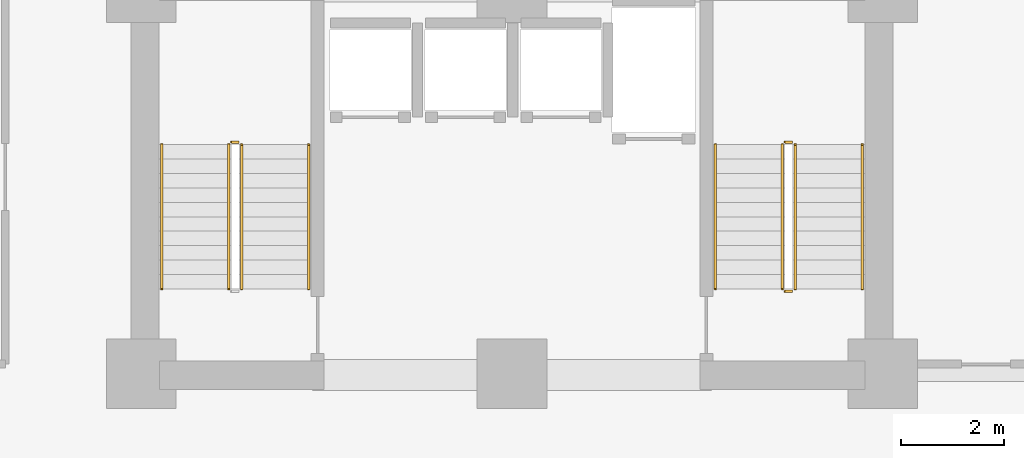
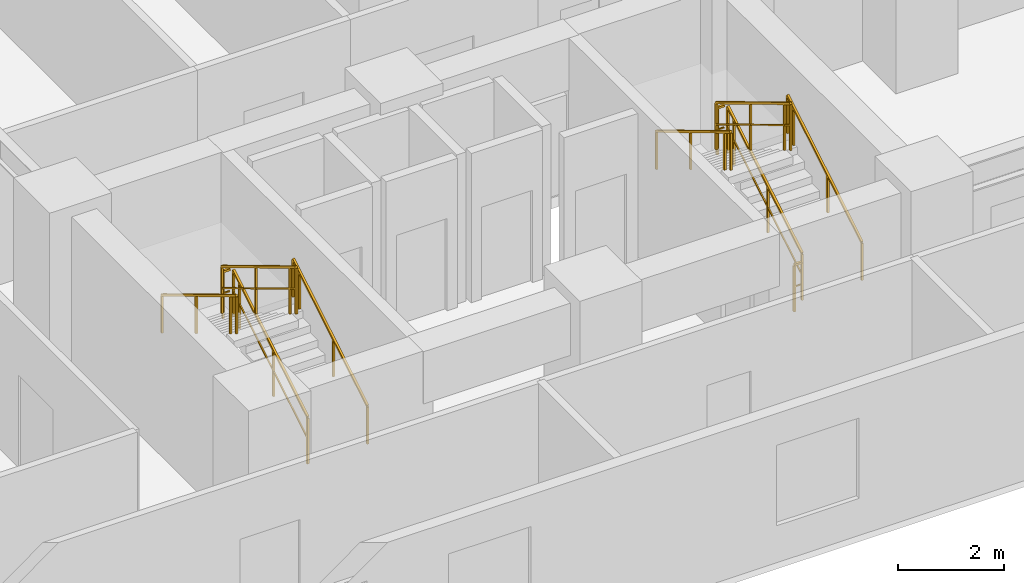
# One storey, part 18 of 19: 11 railings.
"""IFC4 building model written with IfcOpenShell, lengths in metres."""

from ifc_helpers import new_model, si_unit, direction, frame, origin, origin_2d, place, context, subcontext, project, spatial, rectangle, extrude, material, type_object, element, save


model = new_model("IFC4")

# Units and contexts
model_context = context("Model", 3, precision=1e-05, world=origin(), true_north=direction((0.0, 1.0)))
body_context = subcontext(model_context, "Body", "Model", "MODEL_VIEW")
ifc_project = project(units=[si_unit("LENGTHUNIT", "METRE"), si_unit("AREAUNIT", "SQUARE_METRE"), si_unit("VOLUMEUNIT", "CUBIC_METRE"), si_unit("PLANEANGLEUNIT", "RADIAN"), si_unit("MASSUNIT", "GRAM", prefix="KILO")], contexts=[model_context])

# Site, building, storey
site_placement = place(None, origin())
site = spatial("IfcSite", under=ifc_project, at=site_placement, CompositionType="ELEMENT")
building_placement = place(site_placement, origin())
building = spatial("IfcBuilding", under=site, at=building_placement, Name="Kaliganga Portal Commons", CompositionType="ELEMENT")
storey_placement = place(building_placement, frame((0.0, 0.0, 32.699951171875)))
storey = spatial("IfcBuildingStorey", under=building, at=storey_placement, Name="L07", CompositionType="ELEMENT", Elevation=32.699951171875)

# Railings
ifc_material_1 = material(Name="Galvanized Painted Steel Balustrade", Category="steel")
railing_type_1 = type_object("IfcRailingType", Name="RLG-STAIR-GRD", PredefinedType="GUARDRAIL", material=ifc_material_1)
railing_1_placement = place(storey_placement, frame((37.949951171875, 8.699951171875, 0.168212890625)))
element("IfcRailing", 1, at=railing_1_placement, inside=storey, type_object=railing_type_1, Name="L07 ST-B1 stair guard 1", PredefinedType="GUARDRAIL", context=body_context, shape_type="SweptSolid", body=[
    extrude(rectangle(XDim=0.048095703125, YDim=0.048095703125, at=origin_2d()), frame((0.0, 0.0, 1.072021484375), z_axis=(0.0, 0.857242210791, 0.514913383045), x_axis=(-1.0, 0.0, 0.0)), (0.0, 0.0, 1.0), 3.266357421875),
    extrude(rectangle(XDim=0.028076171875, YDim=0.028076171875, at=origin_2d()), frame((0.0, 0.0, 0.572021484375), z_axis=(0.0, 0.857242210791, 0.514913383045), x_axis=(-1.0, 0.0, 0.0)), (0.0, 0.0, 1.0), 3.266357421875),
    extrude(rectangle(XDim=0.0419921875, YDim=0.0419921875, at=origin_2d()), origin(), (0.0, 0.0, 1.0), 1.052001953125),
    extrude(rectangle(XDim=0.0419921875, YDim=0.0419921875, at=origin_2d()), frame((0.0, 1.285888671875, 0.7724609375)), (0.0, 0.0, 1.0), 1.052001953125),
    extrude(rectangle(XDim=0.0419921875, YDim=0.0419921875, at=origin_2d()), frame((0.0, 2.57177734375, 1.544677734375)), (0.0, 0.0, 1.0), 1.052001953125),
    extrude(rectangle(XDim=0.0419921875, YDim=0.0419921875, at=origin_2d()), frame((0.0, 2.800048828125, 1.681884765625)), (0.0, 0.0, 1.0), 1.052001953125),
])
railing_2_placement = place(storey_placement, frame((37.89990234375, 11.550048828125, 1.85009765625)))
element("IfcRailing", 2, at=railing_2_placement, inside=storey, type_object=railing_type_1, Name="L07 ST-B1 stair guard 2", PredefinedType="GUARDRAIL", context=body_context, shape_type="SweptSolid", body=[
    extrude(rectangle(XDim=0.048095703125, YDim=0.048095703125, at=origin_2d()), frame((0.0, 0.0, 1.076171875), z_axis=(-1.0, 0.0, 0.0), x_axis=(0.0, -1.0, 0.0)), (0.0, 0.0, 1.0), 0.14990234375),
    extrude(rectangle(XDim=0.028076171875, YDim=0.028076171875, at=origin_2d()), frame((0.0, 0.0, 0.572021484375), z_axis=(-1.0, 0.0, 0.0), x_axis=(0.0, -1.0, 0.0)), (0.0, 0.0, 1.0), 0.14990234375),
    extrude(rectangle(XDim=0.0419921875, YDim=0.0419921875, at=origin_2d()), frame((-0.14990234375, 0.0, 0.0)), (0.0, 0.0, 1.0), 1.052001953125),
])
railing_3_placement = place(storey_placement, frame((37.699951171875, 11.5, 2.018310546875)))
element("IfcRailing", 3, at=railing_3_placement, inside=storey, type_object=railing_type_1, Name="L07 ST-B1 stair guard 3", PredefinedType="GUARDRAIL", context=body_context, shape_type="SweptSolid", body=[
    extrude(rectangle(XDim=0.048095703125, YDim=0.048095703125, at=origin_2d()), frame((0.0, 0.0, 1.072021484375), z_axis=(0.0, -0.857275202839, 0.514858452973), x_axis=(1.0, 0.0, 0.0)), (0.0, 0.0, 1.0), 3.26611328125),
    extrude(rectangle(XDim=0.028076171875, YDim=0.028076171875, at=origin_2d()), frame((0.0, 0.0, 0.572021484375), z_axis=(0.0, -0.857275202839, 0.514858452973), x_axis=(1.0, 0.0, 0.0)), (0.0, 0.0, 1.0), 3.26611328125),
    extrude(rectangle(XDim=0.0419921875, YDim=0.0419921875, at=origin_2d()), origin(), (0.0, 0.0, 1.0), 1.052001953125),
    extrude(rectangle(XDim=0.0419921875, YDim=0.0419921875, at=origin_2d()), frame((0.0, -1.285888671875, 0.772216796875)), (0.0, 0.0, 1.0), 1.052001953125),
    extrude(rectangle(XDim=0.0419921875, YDim=0.0419921875, at=origin_2d()), frame((0.0, -2.57177734375, 1.544677734375)), (0.0, 0.0, 1.0), 1.052001953125),
    extrude(rectangle(XDim=0.0419921875, YDim=0.0419921875, at=origin_2d()), frame((0.0, -2.800048828125, 1.681640625)), (0.0, 0.0, 1.0), 1.052001953125),
])
railing_4_placement = place(storey_placement, frame((48.699951171875, 8.699951171875, 0.168212890625)))
element("IfcRailing", 4, at=railing_4_placement, inside=storey, type_object=railing_type_1, Name="L07 ST-B2 stair guard 1", PredefinedType="GUARDRAIL", context=body_context, shape_type="SweptSolid", body=[
    extrude(rectangle(XDim=0.048095703125, YDim=0.048095703125, at=origin_2d()), frame((0.0, 0.0, 1.072021484375), z_axis=(0.0, 0.857242210791, 0.514913383045), x_axis=(-1.0, 0.0, 0.0)), (0.0, 0.0, 1.0), 3.266357421875),
    extrude(rectangle(XDim=0.028076171875, YDim=0.028076171875, at=origin_2d()), frame((0.0, 0.0, 0.572021484375), z_axis=(0.0, 0.857242210791, 0.514913383045), x_axis=(-1.0, 0.0, 0.0)), (0.0, 0.0, 1.0), 3.266357421875),
    extrude(rectangle(XDim=0.0419921875, YDim=0.0419921875, at=origin_2d()), origin(), (0.0, 0.0, 1.0), 1.052001953125),
    extrude(rectangle(XDim=0.0419921875, YDim=0.0419921875, at=origin_2d()), frame((0.0, 1.285888671875, 0.7724609375)), (0.0, 0.0, 1.0), 1.052001953125),
    extrude(rectangle(XDim=0.0419921875, YDim=0.0419921875, at=origin_2d()), frame((0.0, 2.57177734375, 1.544677734375)), (0.0, 0.0, 1.0), 1.052001953125),
    extrude(rectangle(XDim=0.0419921875, YDim=0.0419921875, at=origin_2d()), frame((0.0, 2.800048828125, 1.681884765625)), (0.0, 0.0, 1.0), 1.052001953125),
])
railing_5_placement = place(storey_placement, frame((48.64990234375, 11.550048828125, 1.85009765625)))
element("IfcRailing", 5, at=railing_5_placement, inside=storey, type_object=railing_type_1, Name="L07 ST-B2 stair guard 2", PredefinedType="GUARDRAIL", context=body_context, shape_type="SweptSolid", body=[
    extrude(rectangle(XDim=0.048095703125, YDim=0.048095703125, at=origin_2d()), frame((0.0, 0.0, 1.076171875), z_axis=(-1.0, 0.0, 0.0), x_axis=(0.0, -1.0, 0.0)), (0.0, 0.0, 1.0), 0.14990234375),
    extrude(rectangle(XDim=0.028076171875, YDim=0.028076171875, at=origin_2d()), frame((0.0, 0.0, 0.572021484375), z_axis=(-1.0, 0.0, 0.0), x_axis=(0.0, -1.0, 0.0)), (0.0, 0.0, 1.0), 0.14990234375),
    extrude(rectangle(XDim=0.0419921875, YDim=0.0419921875, at=origin_2d()), frame((-0.14990234375, 0.0, 0.0)), (0.0, 0.0, 1.0), 1.052001953125),
])
railing_6_placement = place(storey_placement, frame((48.449951171875, 11.5, 2.018310546875)))
element("IfcRailing", 6, at=railing_6_placement, inside=storey, type_object=railing_type_1, Name="L07 ST-B2 stair guard 3", PredefinedType="GUARDRAIL", context=body_context, shape_type="SweptSolid", body=[
    extrude(rectangle(XDim=0.048095703125, YDim=0.048095703125, at=origin_2d()), frame((0.0, 0.0, 1.072021484375), z_axis=(0.0, -0.857275202839, 0.514858452973), x_axis=(1.0, 0.0, 0.0)), (0.0, 0.0, 1.0), 3.26611328125),
    extrude(rectangle(XDim=0.028076171875, YDim=0.028076171875, at=origin_2d()), frame((0.0, 0.0, 0.572021484375), z_axis=(0.0, -0.857275202839, 0.514858452973), x_axis=(1.0, 0.0, 0.0)), (0.0, 0.0, 1.0), 3.26611328125),
    extrude(rectangle(XDim=0.0419921875, YDim=0.0419921875, at=origin_2d()), origin(), (0.0, 0.0, 1.0), 1.052001953125),
    extrude(rectangle(XDim=0.0419921875, YDim=0.0419921875, at=origin_2d()), frame((0.0, -1.285888671875, 0.772216796875)), (0.0, 0.0, 1.0), 1.052001953125),
    extrude(rectangle(XDim=0.0419921875, YDim=0.0419921875, at=origin_2d()), frame((0.0, -2.57177734375, 1.544677734375)), (0.0, 0.0, 1.0), 1.052001953125),
    extrude(rectangle(XDim=0.0419921875, YDim=0.0419921875, at=origin_2d()), frame((0.0, -2.800048828125, 1.681640625)), (0.0, 0.0, 1.0), 1.052001953125),
])
railing_7_placement = place(storey_placement, frame((48.64990234375, 8.64990234375, 0.0)))
element("IfcRailing", 7, at=railing_7_placement, inside=storey, type_object=railing_type_1, Name="L07 ST-B2 stair guard 4", PredefinedType="GUARDRAIL", context=body_context, shape_type="SweptSolid", body=[
    extrude(rectangle(XDim=0.048095703125, YDim=0.048095703125, at=origin_2d()), frame((0.0, 0.0, 1.076171875), z_axis=(-1.0, 0.0, 0.0), x_axis=(0.0, -1.0, 0.0)), (0.0, 0.0, 1.0), 0.14990234375),
    extrude(rectangle(XDim=0.028076171875, YDim=0.028076171875, at=origin_2d()), frame((0.0, 0.0, 0.572021484375), z_axis=(-1.0, 0.0, 0.0), x_axis=(0.0, -1.0, 0.0)), (0.0, 0.0, 1.0), 0.14990234375),
    extrude(rectangle(XDim=0.0419921875, YDim=0.0419921875, at=origin_2d()), frame((-0.14990234375, 0.0, 0.0)), (0.0, 0.0, 1.0), 1.052001953125),
])
ifc_material_2 = material(Name="Brushed Stainless Steel 316", Category="steel")
railing_type_2 = type_object("IfcRailingType", Name="RLG-STAIR-HR", PredefinedType="HANDRAIL", material=ifc_material_2)
railing_8_placement = place(storey_placement, frame((39.25, 8.699951171875, 0.168212890625)))
element("IfcRailing", 8, at=railing_8_placement, inside=storey, type_object=railing_type_2, Name="L07 ST-B1 stair handrail 1", PredefinedType="HANDRAIL", context=body_context, shape_type="SweptSolid", body=[
    extrude(rectangle(XDim=0.048095703125, YDim=0.048095703125, at=origin_2d()), frame((0.0, 0.0, 0.871826171875), z_axis=(0.0, 0.857242210791, 0.514913383045), x_axis=(-1.0, 0.0, 0.0)), (0.0, 0.0, 1.0), 3.266357421875),
    extrude(rectangle(XDim=0.0419921875, YDim=0.0419921875, at=origin_2d()), origin(), (0.0, 0.0, 1.0), 0.851806640625),
    extrude(rectangle(XDim=0.0419921875, YDim=0.0419921875, at=origin_2d()), frame((0.0, 1.285888671875, 0.7724609375)), (0.0, 0.0, 1.0), 0.851806640625),
    extrude(rectangle(XDim=0.0419921875, YDim=0.0419921875, at=origin_2d()), frame((0.0, 2.57177734375, 1.544677734375)), (0.0, 0.0, 1.0), 0.851806640625),
    extrude(rectangle(XDim=0.0419921875, YDim=0.0419921875, at=origin_2d()), frame((0.0, 2.800048828125, 1.681884765625)), (0.0, 0.0, 1.0), 0.851806640625),
])
railing_9_placement = place(storey_placement, frame((36.39990234375, 11.5, 2.018310546875)))
element("IfcRailing", 9, at=railing_9_placement, inside=storey, type_object=railing_type_2, Name="L07 ST-B1 stair handrail 2", PredefinedType="HANDRAIL", context=body_context, shape_type="SweptSolid", body=[
    extrude(rectangle(XDim=0.048095703125, YDim=0.048095703125, at=origin_2d()), frame((0.0, 0.0, 0.871826171875), z_axis=(0.0, -0.857275202839, 0.514858452973), x_axis=(1.0, 0.0, 0.0)), (0.0, 0.0, 1.0), 3.26611328125),
    extrude(rectangle(XDim=0.0419921875, YDim=0.0419921875, at=origin_2d()), origin(), (0.0, 0.0, 1.0), 0.851806640625),
    extrude(rectangle(XDim=0.0419921875, YDim=0.0419921875, at=origin_2d()), frame((0.0, -1.285888671875, 0.772216796875)), (0.0, 0.0, 1.0), 0.851806640625),
    extrude(rectangle(XDim=0.0419921875, YDim=0.0419921875, at=origin_2d()), frame((0.0, -2.57177734375, 1.544677734375)), (0.0, 0.0, 1.0), 0.851806640625),
    extrude(rectangle(XDim=0.0419921875, YDim=0.0419921875, at=origin_2d()), frame((0.0, -2.800048828125, 1.681640625)), (0.0, 0.0, 1.0), 0.851806640625),
])
railing_10_placement = place(storey_placement, frame((50.0, 8.699951171875, 0.168212890625)))
element("IfcRailing", 10, at=railing_10_placement, inside=storey, type_object=railing_type_2, Name="L07 ST-B2 stair handrail 1", PredefinedType="HANDRAIL", context=body_context, shape_type="SweptSolid", body=[
    extrude(rectangle(XDim=0.048095703125, YDim=0.048095703125, at=origin_2d()), frame((0.0, 0.0, 0.871826171875), z_axis=(0.0, 0.857242210791, 0.514913383045), x_axis=(-1.0, 0.0, 0.0)), (0.0, 0.0, 1.0), 3.266357421875),
    extrude(rectangle(XDim=0.0419921875, YDim=0.0419921875, at=origin_2d()), origin(), (0.0, 0.0, 1.0), 0.851806640625),
    extrude(rectangle(XDim=0.0419921875, YDim=0.0419921875, at=origin_2d()), frame((0.0, 1.285888671875, 0.7724609375)), (0.0, 0.0, 1.0), 0.851806640625),
    extrude(rectangle(XDim=0.0419921875, YDim=0.0419921875, at=origin_2d()), frame((0.0, 2.57177734375, 1.544677734375)), (0.0, 0.0, 1.0), 0.851806640625),
    extrude(rectangle(XDim=0.0419921875, YDim=0.0419921875, at=origin_2d()), frame((0.0, 2.800048828125, 1.681884765625)), (0.0, 0.0, 1.0), 0.851806640625),
])
railing_11_placement = place(storey_placement, frame((47.14990234375, 11.5, 2.018310546875)))
element("IfcRailing", 11, at=railing_11_placement, inside=storey, type_object=railing_type_2, Name="L07 ST-B2 stair handrail 2", PredefinedType="HANDRAIL", context=body_context, shape_type="SweptSolid", body=[
    extrude(rectangle(XDim=0.048095703125, YDim=0.048095703125, at=origin_2d()), frame((0.0, 0.0, 0.871826171875), z_axis=(0.0, -0.857275202839, 0.514858452973), x_axis=(1.0, 0.0, 0.0)), (0.0, 0.0, 1.0), 3.26611328125),
    extrude(rectangle(XDim=0.0419921875, YDim=0.0419921875, at=origin_2d()), origin(), (0.0, 0.0, 1.0), 0.851806640625),
    extrude(rectangle(XDim=0.0419921875, YDim=0.0419921875, at=origin_2d()), frame((0.0, -1.285888671875, 0.772216796875)), (0.0, 0.0, 1.0), 0.851806640625),
    extrude(rectangle(XDim=0.0419921875, YDim=0.0419921875, at=origin_2d()), frame((0.0, -2.57177734375, 1.544677734375)), (0.0, 0.0, 1.0), 0.851806640625),
    extrude(rectangle(XDim=0.0419921875, YDim=0.0419921875, at=origin_2d()), frame((0.0, -2.800048828125, 1.681640625)), (0.0, 0.0, 1.0), 0.851806640625),
])

save(model, "model.ifc")
